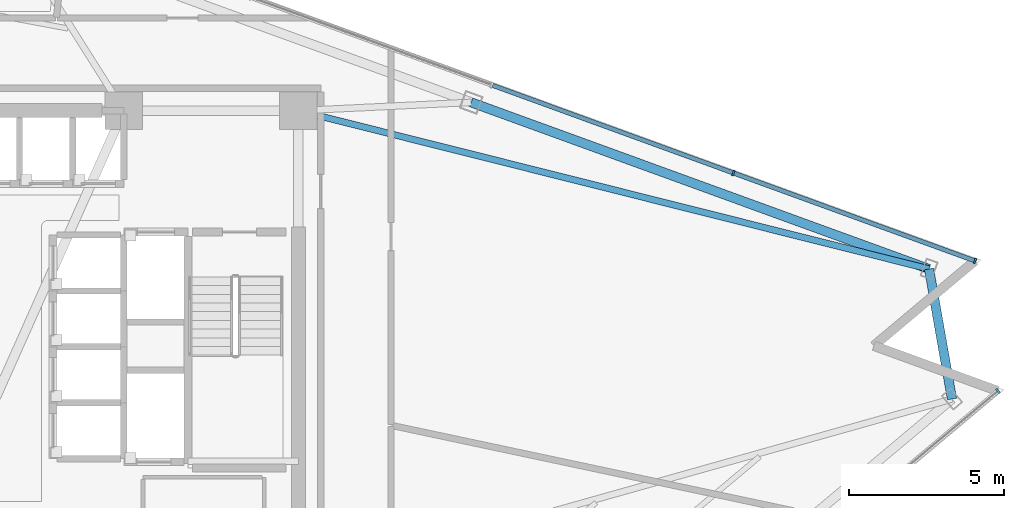
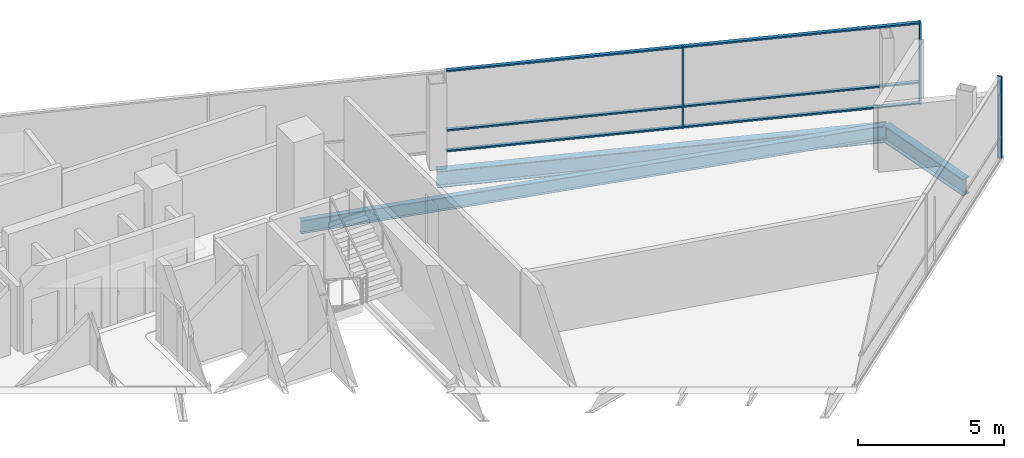
# One storey, part 8 of 16: 9 members, 3 beams, 2 elements without a shape of their own.
"""IFC4 building model written with IfcOpenShell, lengths in metres."""

from ifc_helpers import new_model, si_unit, direction, frame, origin, origin_2d, place, context, subcontext, project, spatial, rectangle, i_section, extrude, material, layer, layer_set, material_profile, profile_set, type_object, element, aggregate, save


model = new_model("IFC4")

# Units and contexts
model_context = context("Model", 3, precision=1e-05, world=origin(), true_north=direction((0.0, 1.0)))
body_context = subcontext(model_context, "Body", "Model", "MODEL_VIEW")
ifc_project = project(units=[si_unit("LENGTHUNIT", "METRE"), si_unit("AREAUNIT", "SQUARE_METRE"), si_unit("VOLUMEUNIT", "CUBIC_METRE"), si_unit("PLANEANGLEUNIT", "RADIAN"), si_unit("MASSUNIT", "GRAM", prefix="KILO")], contexts=[model_context])

# Site, building, storey
site_placement = place(None, origin())
site = spatial("IfcSite", under=ifc_project, at=site_placement, CompositionType="ELEMENT")
building_placement = place(site_placement, origin())
building = spatial("IfcBuilding", under=site, at=building_placement, Name="Tharavind Bronze Gate", CompositionType="ELEMENT")
storey_placement = place(building_placement, frame((0.0, 0.0, 170.5)))
storey = spatial("IfcBuildingStorey", under=building, at=storey_placement, Name="L43", CompositionType="ELEMENT", Elevation=170.5)

# Curtain wall, member
ifc_material_1 = material(Name="Anodised Bronze Aluminium", Category="aluminium")
ifc_layer = layer(ifc_material_1, 0.219970703125)
ifc_layer_set = layer_set([ifc_layer], Name="Anodised Bronze Aluminium")
curtain_wall_type = type_object("IfcCurtainWallType", Name="UNITISED CURTAIN WALL MID OFFICE", PredefinedType="USERDEFINED", material=ifc_layer_set)
curtain_wall_1_placement = place(storey_placement, origin())
curtain_wall_1 = element("IfcCurtainWall", 1, at=curtain_wall_1_placement, inside=storey, type_object=curtain_wall_type, Name="L43 unitised curtain wall mid office CW-L43-S2", ObjectType="UNITISED CURTAIN WALL", PredefinedType="USERDEFINED")
member_type_1 = type_object("IfcMemberType", Name="CURTAIN WALL BRONZE MULLION 65X180", PredefinedType="MULLION", material=ifc_material_1)
member_1_placement = place(storey_placement, frame((31.410888671875, -1.418212890625, 0.0), z_axis=(0.0, 0.0, 1.0), x_axis=(0.766043321242, 0.642788946685, 0.0)))
member_1 = element("IfcMember", 2, at=member_1_placement, type_object=member_type_1, Name="CW-L43-S2 mullion 8", PredefinedType="MULLION", context=body_context, shape_type="SweptSolid", body=[
    extrude(rectangle(XDim=0.06494140625, YDim=0.179931640625, at=origin_2d()), origin(), (0.0, 0.0, 1.0), 3.419921875),
])
aggregate(curtain_wall_1, [member_1])

# Curtain wall, members
curtain_wall_2_placement = place(storey_placement, origin())
curtain_wall_2 = element("IfcCurtainWall", 3, at=curtain_wall_2_placement, inside=storey, type_object=curtain_wall_type, Name="L43 unitised curtain wall mid office CW-L43-S3", ObjectType="UNITISED CURTAIN WALL", PredefinedType="USERDEFINED")
member_2_placement = place(storey_placement, frame((30.67333984375, 2.765380859375, 0.0), z_axis=(0.0, 0.0, 1.0), x_axis=(-0.939692023847, 0.342021783398, 0.0)))
member_2 = element("IfcMember", 4, at=member_2_placement, type_object=member_type_1, Name="CW-L43-S3 mullion 1", PredefinedType="MULLION", context=body_context, shape_type="SweptSolid", body=[
    extrude(rectangle(XDim=0.06494140625, YDim=0.179931640625, at=origin_2d()), origin(), (0.0, 0.0, 1.0), 3.419921875),
])
member_3_placement = place(storey_placement, frame((22.89892578125, 5.594970703125, 0.0), z_axis=(0.0, 0.0, 1.0), x_axis=(-0.939692023847, 0.342021783398, 0.0)))
member_3 = element("IfcMember", 5, at=member_3_placement, type_object=member_type_1, Name="CW-L43-S3 mullion 2", PredefinedType="MULLION", context=body_context, shape_type="SweptSolid", body=[
    extrude(rectangle(XDim=0.06494140625, YDim=0.179931640625, at=origin_2d()), origin(), (0.0, 0.0, 1.0), 3.419921875),
])
member_type_2 = type_object("IfcMemberType", Name="CURTAIN WALL BRONZE TRANSOM 65X140", PredefinedType="USERDEFINED", material=ifc_material_1)
member_4_placement = place(storey_placement, frame((26.7861328125, 4.18017578125, 0.0), z_axis=(0.0, 0.0, 1.0), x_axis=(-0.939692023847, 0.342021783398, 0.0)))
member_4 = element("IfcMember", 6, at=member_4_placement, type_object=member_type_2, Name="CW-L43-S3 transom TB1", ObjectType="TRANSOM", PredefinedType="USERDEFINED", context=body_context, shape_type="SweptSolid", body=[
    extrude(rectangle(XDim=8.220458984375, YDim=0.139892578125, at=origin_2d()), origin(), (0.0, 0.0, 1.0), 0.06494140625),
])
member_5_placement = place(storey_placement, frame((26.7861328125, 4.18017578125, 0.867431640625), z_axis=(0.0, 0.0, 1.0), x_axis=(-0.939692023847, 0.342021783398, 0.0)))
member_5 = element("IfcMember", 7, at=member_5_placement, type_object=member_type_2, Name="CW-L43-S3 transom TS1", ObjectType="TRANSOM", PredefinedType="USERDEFINED", context=body_context, shape_type="SweptSolid", body=[
    extrude(rectangle(XDim=8.220458984375, YDim=0.139892578125, at=origin_2d()), origin(), (0.0, 0.0, 1.0), 0.06494140625),
])
member_6_placement = place(storey_placement, frame((26.7861328125, 4.18017578125, 3.35498046875), z_axis=(0.0, 0.0, 1.0), x_axis=(-0.939692023847, 0.342021783398, 0.0)))
member_6 = element("IfcMember", 8, at=member_6_placement, type_object=member_type_2, Name="CW-L43-S3 transom TT1", ObjectType="TRANSOM", PredefinedType="USERDEFINED", context=body_context, shape_type="SweptSolid", body=[
    extrude(rectangle(XDim=8.220458984375, YDim=0.139892578125, at=origin_2d()), origin(), (0.0, 0.0, 1.0), 0.06494140625),
])
member_7_placement = place(storey_placement, frame((19.01171875, 7.009765625, 0.0), z_axis=(0.0, 0.0, 1.0), x_axis=(-0.939692023847, 0.342021783398, 0.0)))
member_7 = element("IfcMember", 9, at=member_7_placement, type_object=member_type_2, Name="CW-L43-S3 transom TB2", ObjectType="TRANSOM", PredefinedType="USERDEFINED", context=body_context, shape_type="SweptSolid", body=[
    extrude(rectangle(XDim=8.220458984375, YDim=0.139892578125, at=origin_2d()), origin(), (0.0, 0.0, 1.0), 0.06494140625),
])
member_8_placement = place(storey_placement, frame((19.01171875, 7.009765625, 0.867431640625), z_axis=(0.0, 0.0, 1.0), x_axis=(-0.939692023847, 0.342021783398, 0.0)))
member_8 = element("IfcMember", 10, at=member_8_placement, type_object=member_type_2, Name="CW-L43-S3 transom TS2", ObjectType="TRANSOM", PredefinedType="USERDEFINED", context=body_context, shape_type="SweptSolid", body=[
    extrude(rectangle(XDim=8.220458984375, YDim=0.139892578125, at=origin_2d()), origin(), (0.0, 0.0, 1.0), 0.06494140625),
])
member_9_placement = place(storey_placement, frame((19.01171875, 7.009765625, 3.35498046875), z_axis=(0.0, 0.0, 1.0), x_axis=(-0.939692023847, 0.342021783398, 0.0)))
member_9 = element("IfcMember", 11, at=member_9_placement, type_object=member_type_2, Name="CW-L43-S3 transom TT2", ObjectType="TRANSOM", PredefinedType="USERDEFINED", context=body_context, shape_type="SweptSolid", body=[
    extrude(rectangle(XDim=8.220458984375, YDim=0.139892578125, at=origin_2d()), origin(), (0.0, 0.0, 1.0), 0.06494140625),
])
aggregate(curtain_wall_2, [member_2, member_3, member_4, member_5, member_6, member_7, member_8, member_9])

# Beams
ifc_material_2 = material(Name="Steel S355", Category="steel")
ifc_material_profile_1 = material_profile(ifc_material_2, i_section(OverallWidth=0.2099609375, OverallDepth=0.550048828125, WebThickness=0.010986328125, FlangeThickness=0.01708984375, at=origin_2d()), Name="IPE550")
ifc_profile_set_1 = profile_set([ifc_material_profile_1], Name="Steel S355")
beam_type_1 = type_object("IfcBeamType", Name="PRIMARY GIRDER IPE550", PredefinedType="USERDEFINED", material=ifc_profile_set_1)
beam_1_placement = place(storey_placement, frame((29.1962890625, 2.5048828125, -0.455078125), z_axis=(-0.969904582273, 0.243485320471, 0.0), x_axis=(-0.243485320471, -0.969904582273, 0.0)))
element("IfcBeam", 12, at=beam_1_placement, inside=storey, type_object=beam_type_1, Name="L43 primary girder ipe550 BM-L43-RAD09", ObjectType="GIRDER", PredefinedType="USERDEFINED", context=body_context, shape_type="SweptSolid", body=[
    extrude(i_section(OverallWidth=0.2099609375, OverallDepth=0.550048828125, WebThickness=0.010986328125, FlangeThickness=0.01708984375, at=origin_2d()), origin(), (0.0, 0.0, 1.0), 20.92626953125),
])
ifc_material_profile_2 = material_profile(ifc_material_2, i_section(OverallWidth=0.300048828125, OverallDepth=0.699951171875, WebThickness=0.01708984375, FlangeThickness=0.031982421875, at=origin_2d()), Name="HE700B")
ifc_profile_set_2 = profile_set([ifc_material_profile_2], Name="Steel S355")
beam_type_2 = type_object("IfcBeamType", Name="RING GIRDER HE700B", PredefinedType="USERDEFINED", material=ifc_profile_set_2)
beam_2_placement = place(storey_placement, frame((29.933837890625, -1.6787109375, -0.530029296875), z_axis=(-0.173618127207, 0.984813051246, 0.0), x_axis=(-0.984813051246, -0.173618127207, 0.0)))
element("IfcBeam", 13, at=beam_2_placement, inside=storey, type_object=beam_type_2, Name="L43 ring girder he700b BM-L43-PRG08", ObjectType="GIRDER", PredefinedType="USERDEFINED", context=body_context, shape_type="SweptSolid", body=[
    extrude(i_section(OverallWidth=0.300048828125, OverallDepth=0.699951171875, WebThickness=0.01708984375, FlangeThickness=0.031982421875, at=origin_2d()), origin(), (0.0, 0.0, 1.0), 4.248046875),
])
beam_3_placement = place(storey_placement, frame((29.1962890625, 2.5048828125, -0.530029296875), z_axis=(-0.939694739877, 0.342014321115, 0.0), x_axis=(-0.342014321115, -0.939694739877, 0.0)))
element("IfcBeam", 14, at=beam_3_placement, inside=storey, type_object=beam_type_2, Name="L43 ring girder he700b BM-L43-PRG09", ObjectType="GIRDER", PredefinedType="USERDEFINED", context=body_context, shape_type="SweptSolid", body=[
    extrude(i_section(OverallWidth=0.300048828125, OverallDepth=0.699951171875, WebThickness=0.01708984375, FlangeThickness=0.031982421875, at=origin_2d()), origin(), (0.0, 0.0, 1.0), 15.6806640625),
])

save(model, "model.ifc")
